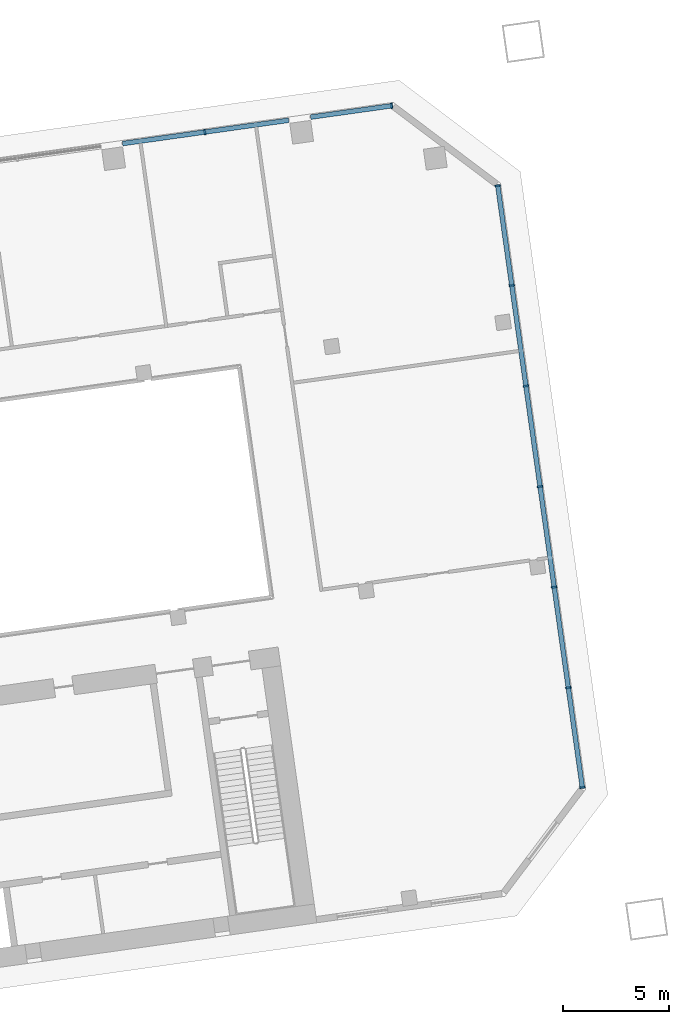
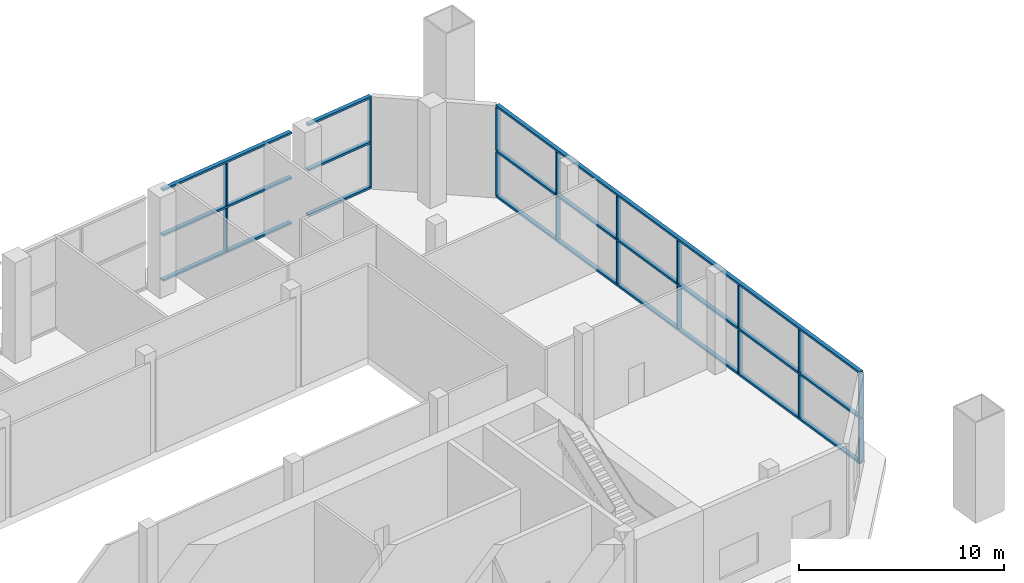
# One storey, part 6 of 24: 27 members, 2 elements without a shape of their own.
"""IFC4 building model written with IfcOpenShell, lengths in metres."""

from ifc_helpers import new_model, si_unit, direction, frame, origin, origin_2d, place, context, subcontext, project, spatial, rectangle, extrude, material, material_profile, profile_set, type_object, element, aggregate, save


model = new_model("IFC4")

# Units and contexts
model_context = context("Model", 3, precision=1e-05, world=origin(), true_north=direction((0.0, 1.0)))
body_context = subcontext(model_context, "Body", "Model", "MODEL_VIEW")
ifc_project = project(units=[si_unit("LENGTHUNIT", "METRE"), si_unit("AREAUNIT", "SQUARE_METRE"), si_unit("VOLUMEUNIT", "CUBIC_METRE"), si_unit("PLANEANGLEUNIT", "RADIAN"), si_unit("MASSUNIT", "GRAM", prefix="KILO")], contexts=[model_context])

# Site, building, storey
site_placement = place(None, origin())
site = spatial("IfcSite", under=ifc_project, at=site_placement, CompositionType="ELEMENT")
building_placement = place(site_placement, origin())
building = spatial("IfcBuilding", under=site, at=building_placement, Name="Mirante Cascada Hotel Towers", CompositionType="ELEMENT")
storey_placement = place(building_placement, frame((0.0, 0.0, 17.5)))
storey = spatial("IfcBuildingStorey", under=building, at=storey_placement, Name="L02", CompositionType="ELEMENT", Elevation=17.5)

# Curtain wall, members
ifc_material_1 = material(Name="Aluminium mullion and transom frame with clear laminated glass", Category="aluminium")
curtain_wall_type = type_object("IfcCurtainWallType", Name="Podium curtain wall ECW3", PredefinedType="NOTDEFINED", material=ifc_material_1)
curtain_wall_1_placement = place(storey_placement, origin())
curtain_wall_1 = element("IfcCurtainWall", 1, at=curtain_wall_1_placement, inside=storey, type_object=curtain_wall_type, Name="Front podium glazing T2 L02", PredefinedType="NOTDEFINED")
ifc_material_2 = material(Name="Anodised aluminium extrusion", Category="aluminium")
ifc_material_profile_1 = material_profile(ifc_material_2, rectangle(XDim=0.26, YDim=0.08, at=origin_2d()), Name="ECW3 MULLION 80x260")
ifc_profile_set_1 = profile_set([ifc_material_profile_1], Name="Anodised aluminium extrusion")
member_type_1 = type_object("IfcMemberType", Name="ECW3 mullion 80x260", PredefinedType="MULLION", material=ifc_profile_set_1)
member_1_placement = place(storey_placement, frame((94.1185, 26.0465, 0.12), z_axis=(0.0, 0.0, 1.0), x_axis=(0.1391731, -0.9902681, 0.0)))
member_1 = element("IfcMember", 2, at=member_1_placement, type_object=member_type_1, Name="ECW3 mullion 1", PredefinedType="MULLION", context=body_context, shape_type="SweptSolid", body=[
    extrude(rectangle(XDim=0.26, YDim=0.08, at=origin_2d()), origin(), (0.0, 0.0, 1.0), 2.57),
])
member_2_placement = place(storey_placement, frame((94.1185, 26.0465, 2.81), z_axis=(0.0, 0.0, 1.0), x_axis=(0.1391731, -0.9902681, 0.0)))
member_2 = element("IfcMember", 3, at=member_2_placement, type_object=member_type_1, Name="ECW3 mullion 1", PredefinedType="MULLION", context=body_context, shape_type="SweptSolid", body=[
    extrude(rectangle(XDim=0.26, YDim=0.08, at=origin_2d()), origin(), (0.0, 0.0, 1.0), 2.57),
])
member_3_placement = place(storey_placement, frame((85.2633, 24.802, 0.12), z_axis=(0.0, 0.0, 1.0), x_axis=(0.1391731, -0.9902681, 0.0)))
member_3 = element("IfcMember", 4, at=member_3_placement, type_object=member_type_1, Name="ECW3 mullion 3", PredefinedType="MULLION", context=body_context, shape_type="SweptSolid", body=[
    extrude(rectangle(XDim=0.26, YDim=0.08, at=origin_2d()), origin(), (0.0, 0.0, 1.0), 2.57),
])
member_4_placement = place(storey_placement, frame((85.2633, 24.802, 2.81), z_axis=(0.0, 0.0, 1.0), x_axis=(0.1391731, -0.9902681, 0.0)))
member_4 = element("IfcMember", 5, at=member_4_placement, type_object=member_type_1, Name="ECW3 mullion 3", PredefinedType="MULLION", context=body_context, shape_type="SweptSolid", body=[
    extrude(rectangle(XDim=0.26, YDim=0.08, at=origin_2d()), origin(), (0.0, 0.0, 1.0), 2.57),
])

curtain_wall_2_placement = place(storey_placement, origin())
curtain_wall_2 = element("IfcCurtainWall", 6, at=curtain_wall_2_placement, inside=storey, type_object=curtain_wall_type, Name="Outer end podium glazing T2 L02", PredefinedType="NOTDEFINED")
member_5_placement = place(storey_placement, frame((103.1546, -6.2582, 0.12), z_axis=(0.0, 0.0, 1.0), x_axis=(-0.9902681, -0.1391731, 0.0)))
member_5 = element("IfcMember", 7, at=member_5_placement, type_object=member_type_1, Name="ECW3 mullion 1", PredefinedType="MULLION", context=body_context, shape_type="SweptSolid", body=[
    extrude(rectangle(XDim=0.26, YDim=0.08, at=origin_2d()), origin(), (0.0, 0.0, 1.0), 2.57),
])
member_6_placement = place(storey_placement, frame((103.1546, -6.2582, 2.81), z_axis=(0.0, 0.0, 1.0), x_axis=(-0.9902681, -0.1391731, 0.0)))
member_6 = element("IfcMember", 8, at=member_6_placement, type_object=member_type_1, Name="ECW3 mullion 1", PredefinedType="MULLION", context=body_context, shape_type="SweptSolid", body=[
    extrude(rectangle(XDim=0.26, YDim=0.08, at=origin_2d()), origin(), (0.0, 0.0, 1.0), 2.57),
])
member_7_placement = place(storey_placement, frame((102.4903, -1.532, 0.12), z_axis=(0.0, 0.0, 1.0), x_axis=(-0.9902681, -0.1391731, 0.0)))
member_7 = element("IfcMember", 9, at=member_7_placement, type_object=member_type_1, Name="ECW3 mullion 2", PredefinedType="MULLION", context=body_context, shape_type="SweptSolid", body=[
    extrude(rectangle(XDim=0.26, YDim=0.08, at=origin_2d()), origin(), (0.0, 0.0, 1.0), 2.57),
])
member_8_placement = place(storey_placement, frame((102.4903, -1.532, 2.81), z_axis=(0.0, 0.0, 1.0), x_axis=(-0.9902681, -0.1391731, 0.0)))
member_8 = element("IfcMember", 10, at=member_8_placement, type_object=member_type_1, Name="ECW3 mullion 2", PredefinedType="MULLION", context=body_context, shape_type="SweptSolid", body=[
    extrude(rectangle(XDim=0.26, YDim=0.08, at=origin_2d()), origin(), (0.0, 0.0, 1.0), 2.57),
])
member_9_placement = place(storey_placement, frame((101.8205, 3.2338, 0.12), z_axis=(0.0, 0.0, 1.0), x_axis=(-0.9902681, -0.1391731, 0.0)))
member_9 = element("IfcMember", 11, at=member_9_placement, type_object=member_type_1, Name="ECW3 mullion 3", PredefinedType="MULLION", context=body_context, shape_type="SweptSolid", body=[
    extrude(rectangle(XDim=0.26, YDim=0.08, at=origin_2d()), origin(), (0.0, 0.0, 1.0), 2.57),
])
member_10_placement = place(storey_placement, frame((101.8205, 3.2338, 2.81), z_axis=(0.0, 0.0, 1.0), x_axis=(-0.9902681, -0.1391731, 0.0)))
member_10 = element("IfcMember", 12, at=member_10_placement, type_object=member_type_1, Name="ECW3 mullion 3", PredefinedType="MULLION", context=body_context, shape_type="SweptSolid", body=[
    extrude(rectangle(XDim=0.26, YDim=0.08, at=origin_2d()), origin(), (0.0, 0.0, 1.0), 2.57),
])
member_11_placement = place(storey_placement, frame((101.1508, 7.9996, 0.12), z_axis=(0.0, 0.0, 1.0), x_axis=(-0.9902681, -0.1391731, 0.0)))
member_11 = element("IfcMember", 13, at=member_11_placement, type_object=member_type_1, Name="ECW3 mullion 4", PredefinedType="MULLION", context=body_context, shape_type="SweptSolid", body=[
    extrude(rectangle(XDim=0.26, YDim=0.08, at=origin_2d()), origin(), (0.0, 0.0, 1.0), 2.57),
])
member_12_placement = place(storey_placement, frame((101.1508, 7.9996, 2.81), z_axis=(0.0, 0.0, 1.0), x_axis=(-0.9902681, -0.1391731, 0.0)))
member_12 = element("IfcMember", 14, at=member_12_placement, type_object=member_type_1, Name="ECW3 mullion 4", PredefinedType="MULLION", context=body_context, shape_type="SweptSolid", body=[
    extrude(rectangle(XDim=0.26, YDim=0.08, at=origin_2d()), origin(), (0.0, 0.0, 1.0), 2.57),
])
member_13_placement = place(storey_placement, frame((100.481, 12.7654, 0.12), z_axis=(0.0, 0.0, 1.0), x_axis=(-0.9902681, -0.1391731, 0.0)))
member_13 = element("IfcMember", 15, at=member_13_placement, type_object=member_type_1, Name="ECW3 mullion 5", PredefinedType="MULLION", context=body_context, shape_type="SweptSolid", body=[
    extrude(rectangle(XDim=0.26, YDim=0.08, at=origin_2d()), origin(), (0.0, 0.0, 1.0), 2.57),
])
member_14_placement = place(storey_placement, frame((100.481, 12.7654, 2.81), z_axis=(0.0, 0.0, 1.0), x_axis=(-0.9902681, -0.1391731, 0.0)))
member_14 = element("IfcMember", 16, at=member_14_placement, type_object=member_type_1, Name="ECW3 mullion 5", PredefinedType="MULLION", context=body_context, shape_type="SweptSolid", body=[
    extrude(rectangle(XDim=0.26, YDim=0.08, at=origin_2d()), origin(), (0.0, 0.0, 1.0), 2.57),
])
member_15_placement = place(storey_placement, frame((99.8112, 17.5312, 0.12), z_axis=(0.0, 0.0, 1.0), x_axis=(-0.9902681, -0.1391731, 0.0)))
member_15 = element("IfcMember", 17, at=member_15_placement, type_object=member_type_1, Name="ECW3 mullion 6", PredefinedType="MULLION", context=body_context, shape_type="SweptSolid", body=[
    extrude(rectangle(XDim=0.26, YDim=0.08, at=origin_2d()), origin(), (0.0, 0.0, 1.0), 2.57),
])
member_16_placement = place(storey_placement, frame((99.8112, 17.5312, 2.81), z_axis=(0.0, 0.0, 1.0), x_axis=(-0.9902681, -0.1391731, 0.0)))
member_16 = element("IfcMember", 18, at=member_16_placement, type_object=member_type_1, Name="ECW3 mullion 6", PredefinedType="MULLION", context=body_context, shape_type="SweptSolid", body=[
    extrude(rectangle(XDim=0.26, YDim=0.08, at=origin_2d()), origin(), (0.0, 0.0, 1.0), 2.57),
])
member_17_placement = place(storey_placement, frame((99.147, 22.2573, 0.12), z_axis=(0.0, 0.0, 1.0), x_axis=(-0.9902681, -0.1391731, 0.0)))
member_17 = element("IfcMember", 19, at=member_17_placement, type_object=member_type_1, Name="ECW3 mullion 7", PredefinedType="MULLION", context=body_context, shape_type="SweptSolid", body=[
    extrude(rectangle(XDim=0.26, YDim=0.08, at=origin_2d()), origin(), (0.0, 0.0, 1.0), 2.57),
])
member_18_placement = place(storey_placement, frame((99.147, 22.2573, 2.81), z_axis=(0.0, 0.0, 1.0), x_axis=(-0.9902681, -0.1391731, 0.0)))
member_18 = element("IfcMember", 20, at=member_18_placement, type_object=member_type_1, Name="ECW3 mullion 7", PredefinedType="MULLION", context=body_context, shape_type="SweptSolid", body=[
    extrude(rectangle(XDim=0.26, YDim=0.08, at=origin_2d()), origin(), (0.0, 0.0, 1.0), 2.57),
])

# Member
ifc_material_3 = material(Name="Anodised aluminium extrusion", Category="aluminium")
ifc_material_profile_2 = material_profile(ifc_material_3, rectangle(XDim=0.22, YDim=0.12, at=origin_2d()), Name="ECW3 TRANSOM 120x220")
ifc_profile_set_2 = profile_set([ifc_material_profile_2], Name="Anodised aluminium extrusion")
member_type_2 = type_object("IfcMemberType", Name="ECW3 transom 120x220", PredefinedType="USERDEFINED", material=ifc_profile_set_2)
member_19_placement = place(storey_placement, frame((94.1582, 26.0521, 0.06), z_axis=(-0.990267, -0.1391805, 0.0), x_axis=(0.1391805, -0.990267, 0.0)))
member_19 = element("IfcMember", 21, at=member_19_placement, type_object=member_type_2, Name="ECW3 sill transom", ObjectType="TRANSOM", PredefinedType="USERDEFINED", context=body_context, shape_type="SweptSolid", body=[
    extrude(rectangle(XDim=0.22, YDim=0.12, at=origin_2d()), origin(), (0.0, 0.0, 1.0), 3.9179),
])

member_20_placement = place(storey_placement, frame((89.2485, 25.3621, 0.06), z_axis=(-0.9902683, -0.1391715, 0.0), x_axis=(0.1391715, -0.9902683, 0.0)))
member_20 = element("IfcMember", 22, at=member_20_placement, type_object=member_type_2, Name="ECW3 sill transom", ObjectType="TRANSOM", PredefinedType="USERDEFINED", context=body_context, shape_type="SweptSolid", body=[
    extrude(rectangle(XDim=0.22, YDim=0.12, at=origin_2d()), origin(), (0.0, 0.0, 1.0), 7.96),
])

member_21_placement = place(storey_placement, frame((94.1582, 26.0521, 2.75), z_axis=(-0.990267, -0.1391805, 0.0), x_axis=(0.1391805, -0.990267, 0.0)))
member_21 = element("IfcMember", 23, at=member_21_placement, type_object=member_type_2, Name="ECW3 intermediate transom", ObjectType="TRANSOM", PredefinedType="USERDEFINED", context=body_context, shape_type="SweptSolid", body=[
    extrude(rectangle(XDim=0.22, YDim=0.12, at=origin_2d()), origin(), (0.0, 0.0, 1.0), 3.9179),
])

member_22_placement = place(storey_placement, frame((89.2485, 25.3621, 2.75), z_axis=(-0.9902683, -0.1391715, 0.0), x_axis=(0.1391715, -0.9902683, 0.0)))
member_22 = element("IfcMember", 24, at=member_22_placement, type_object=member_type_2, Name="ECW3 intermediate transom", ObjectType="TRANSOM", PredefinedType="USERDEFINED", context=body_context, shape_type="SweptSolid", body=[
    extrude(rectangle(XDim=0.22, YDim=0.12, at=origin_2d()), origin(), (0.0, 0.0, 1.0), 7.96),
])

member_23_placement = place(storey_placement, frame((94.1582, 26.0521, 5.44), z_axis=(-0.990267, -0.1391805, 0.0), x_axis=(0.1391805, -0.990267, 0.0)))
member_23 = element("IfcMember", 25, at=member_23_placement, type_object=member_type_2, Name="ECW3 head transom", ObjectType="TRANSOM", PredefinedType="USERDEFINED", context=body_context, shape_type="SweptSolid", body=[
    extrude(rectangle(XDim=0.22, YDim=0.12, at=origin_2d()), origin(), (0.0, 0.0, 1.0), 3.9179),
])

member_24_placement = place(storey_placement, frame((89.2485, 25.3621, 5.44), z_axis=(-0.9902683, -0.1391715, 0.0), x_axis=(0.1391715, -0.9902683, 0.0)))
member_24 = element("IfcMember", 26, at=member_24_placement, type_object=member_type_2, Name="ECW3 head transom", ObjectType="TRANSOM", PredefinedType="USERDEFINED", context=body_context, shape_type="SweptSolid", body=[
    extrude(rectangle(XDim=0.22, YDim=0.12, at=origin_2d()), origin(), (0.0, 0.0, 1.0), 7.96),
])

aggregate(curtain_wall_1, [member_19, member_20, member_21, member_22, member_23, member_24, member_1, member_2, member_3, member_4])

member_25_placement = place(storey_placement, frame((103.1601, -6.2978, 0.06), z_axis=(-0.1391723, 0.9902682, 0.0), x_axis=(-0.9902682, -0.1391723, 0.0)))
member_25 = element("IfcMember", 27, at=member_25_placement, type_object=member_type_2, Name="ECW3 sill transom", ObjectType="TRANSOM", PredefinedType="USERDEFINED", context=body_context, shape_type="SweptSolid", body=[
    extrude(rectangle(XDim=0.22, YDim=0.12, at=origin_2d()), origin(), (0.0, 0.0, 1.0), 28.8757),
])

member_26_placement = place(storey_placement, frame((103.1601, -6.2978, 2.75), z_axis=(-0.1391723, 0.9902682, 0.0), x_axis=(-0.9902682, -0.1391723, 0.0)))
member_26 = element("IfcMember", 28, at=member_26_placement, type_object=member_type_2, Name="ECW3 intermediate transom", ObjectType="TRANSOM", PredefinedType="USERDEFINED", context=body_context, shape_type="SweptSolid", body=[
    extrude(rectangle(XDim=0.22, YDim=0.12, at=origin_2d()), origin(), (0.0, 0.0, 1.0), 28.8757),
])

member_27_placement = place(storey_placement, frame((103.1601, -6.2978, 5.44), z_axis=(-0.1391723, 0.9902682, 0.0), x_axis=(-0.9902682, -0.1391723, 0.0)))
member_27 = element("IfcMember", 29, at=member_27_placement, type_object=member_type_2, Name="ECW3 head transom", ObjectType="TRANSOM", PredefinedType="USERDEFINED", context=body_context, shape_type="SweptSolid", body=[
    extrude(rectangle(XDim=0.22, YDim=0.12, at=origin_2d()), origin(), (0.0, 0.0, 1.0), 28.8757),
])

aggregate(curtain_wall_2, [member_25, member_26, member_27, member_5, member_6, member_7, member_8, member_9, member_10, member_11, member_12, member_13, member_14, member_15, member_16, member_17, member_18])

save(model, "model.ifc")
